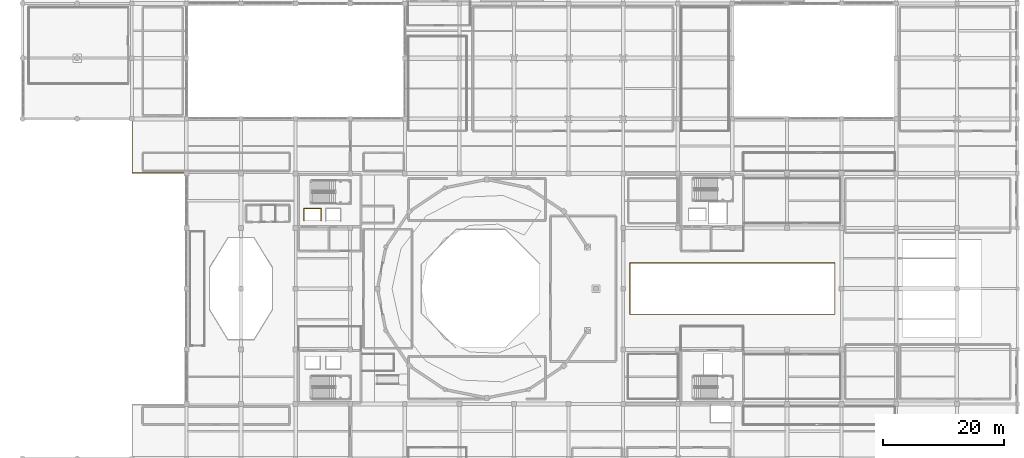
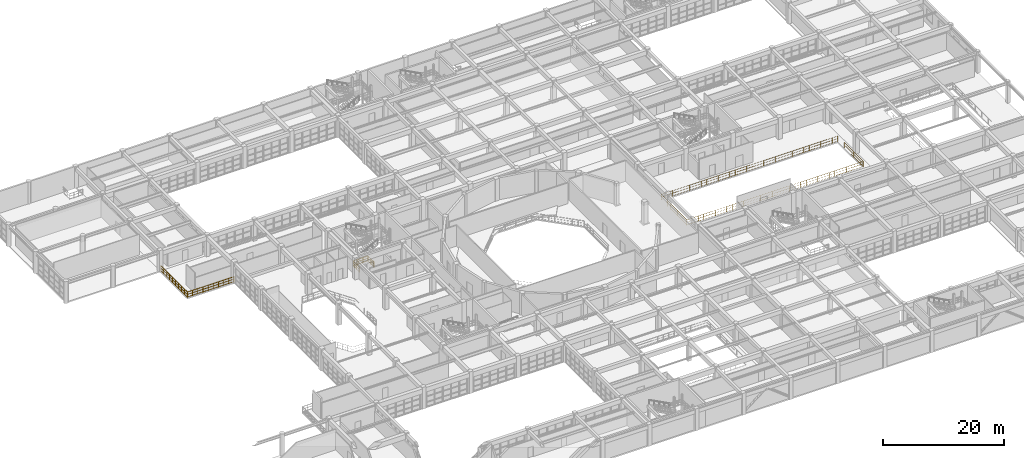
# One storey, part 127 of 133: 3 railings.
"""IFC4 building model written with IfcOpenShell, lengths in metres."""

import ifcopenshell
import ifcopenshell.guid

model = None  # the IFC model being written
_history = None  # IfcOwnerHistory: only IFC2X3 demands one
_inside = {}  # id of a spatial element -> (the spatial element, [elements in it])
_under = {}  # id of a project, library or spatial element -> (it, [spatial elements below it])
_declared = {}  # id of a project -> (the project, [libraries it declares])
_typed = {}  # id of a type object -> (the type object, [elements of that type])
_made_of = {}  # id of a material, layer set ... -> (it, [elements and type objects made of it])


def new_model(schema):
    """Start an empty IFC model of exactly this schema.

    Asked for "IFC4X3", IfcOpenShell would pick the latest addendum, in which some entities
    have other attributes; the version numbers below select the first issue.
    IFC2X3 requires an IfcOwnerHistory on every rooted entity: one is made here for all.
    """
    global model, _history
    if schema == "IFC4X3":
        model = ifcopenshell.file(schema_version=(4, 3, 0, 0))
    else:
        model = ifcopenshell.file(schema=schema)
    _inside.clear()
    _under.clear()
    _declared.clear()
    _typed.clear()
    _made_of.clear()
    _history = None
    if model.schema == "IFC2X3":
        org = make("IfcOrganization", Name="unknown")
        user = make(
            "IfcPersonAndOrganization",
            ThePerson=make("IfcPerson", FamilyName="unknown"),
            TheOrganization=org,
        )
        app = make(
            "IfcApplication",
            ApplicationDeveloper=org,
            Version="unknown",
            ApplicationFullName="unknown",
            ApplicationIdentifier="unknown",
        )
        _history = make(
            "IfcOwnerHistory",
            OwningUser=user,
            OwningApplication=app,
            ChangeAction="ADDED",
            CreationDate=0,
        )
    return model


def make(cls, **values):
    """One entity of the class cls with the attributes given. An attribute that is None is left unset."""
    return model.create_entity(
        cls, **{name: value for name, value in values.items() if value is not None}
    )


def rooted(cls, **values):
    """An entity with a GlobalId (a new one), such as an element, a storey or a relation."""
    return make(cls, GlobalId=ifcopenshell.guid.new(), OwnerHistory=_history, **values)


def si_unit(unit_type, name, prefix=None):
    """IfcSIUnit, for example si_unit("LENGTHUNIT", "METRE", prefix="MILLI")."""
    return make("IfcSIUnit", UnitType=unit_type, Prefix=prefix, Name=name)


def assignment(units):
    """IfcUnitAssignment: the units of a project."""
    return None if units is None else make("IfcUnitAssignment", Units=units)


def point(xyz):
    """IfcCartesianPoint."""
    return None if xyz is None else make("IfcCartesianPoint", Coordinates=xyz)


def direction(xyz):
    """IfcDirection."""
    return None if xyz is None else make("IfcDirection", DirectionRatios=xyz)


def frame(location, z_axis=None, x_axis=None):
    """IfcAxis2Placement3D, a coordinate frame: its origin and axes. An axis left out is left unset."""
    return make(
        "IfcAxis2Placement3D",
        Location=point(location),
        Axis=direction(z_axis),
        RefDirection=direction(x_axis),
    )


def frame_2d(location, x_axis=None):
    """IfcAxis2Placement2D, a coordinate frame in the plane: its origin and x axis."""
    return make(
        "IfcAxis2Placement2D", Location=point(location), RefDirection=direction(x_axis)
    )


def origin():
    """The frame at (0, 0, 0) with its axes left unset."""
    return frame((0.0, 0.0, 0.0))


def origin_2d():
    """The frame at (0, 0) in the plane with its x axis left unset."""
    return frame_2d((0.0, 0.0))


def place(relative_to, where):
    """IfcLocalPlacement: puts the frame where relative to a parent placement (None: the world)."""
    return make(
        "IfcLocalPlacement", PlacementRelTo=relative_to, RelativePlacement=where
    )


def context(
    kind, dimensions, precision=None, world=None, true_north=None, identifier=None
):
    """IfcGeometricRepresentationContext, for example the 3D "Model" context."""
    return make(
        "IfcGeometricRepresentationContext",
        ContextIdentifier=identifier,
        ContextType=kind,
        CoordinateSpaceDimension=dimensions,
        Precision=precision,
        WorldCoordinateSystem=world,
        TrueNorth=true_north,
    )


def subcontext(parent, identifier, kind, view, scale=None):
    """IfcGeometricRepresentationSubContext, for example "Body" below "Model"."""
    return make(
        "IfcGeometricRepresentationSubContext",
        ContextIdentifier=identifier,
        ContextType=kind,
        ParentContext=parent,
        TargetScale=scale,
        TargetView=view,
    )


def project(units=None, contexts=None):
    """IfcProject with its units and contexts."""
    return rooted(
        "IfcProject",
        Name="project",
        RepresentationContexts=contexts,
        UnitsInContext=assignment(units),
    )


def spatial(cls, under=None, at=None, **own):
    """A site, building, storey or space (cls), placed at a placement, below another one or the project."""
    s = rooted(cls, ObjectPlacement=at, **own)
    if under is not None:
        _under.setdefault(under.id(), (under, []))[1].append(s)
    return s


def profile(cls, at=None, kind="AREA", **sizes):
    """A parametric profile (cls). Its sizes go by their IFC names, for example OverallWidth=200.0."""
    return make(cls, ProfileType=kind, Position=at, **sizes)


def circle(**sizes):
    """IfcCircleProfileDef."""
    return profile("IfcCircleProfileDef", **sizes)


def extrude(swept, where, along, depth):
    """IfcExtrudedAreaSolid: the profile swept, set in the frame where, extruded along a direction by depth."""
    return make(
        "IfcExtrudedAreaSolid",
        SweptArea=swept,
        Position=where,
        ExtrudedDirection=direction(along),
        Depth=depth,
    )


def shape(context_of_items, identifier, shape_type, items):
    """IfcShapeRepresentation: the items that make up one representation, for example the "Body"."""
    return make(
        "IfcShapeRepresentation",
        ContextOfItems=context_of_items,
        RepresentationIdentifier=identifier,
        RepresentationType=shape_type,
        Items=items,
    )


def material(Name=None, Category=None):
    """IfcMaterial."""
    return make("IfcMaterial", Name=Name, Category=Category)


def made_of(thing, what):
    """Note that an element or type object is made of a material, layer set ...; save() writes the relation."""
    if what is not None:
        _made_of.setdefault(what.id(), (what, []))[1].append(thing)
    return thing


def type_object(cls, material=None, **own):
    """A type object (cls), such as IfcWallType, which elements share."""
    return made_of(rooted(cls, **own), material)


def element(
    cls,
    number,
    at=None,
    inside=None,
    cuts=None,
    type_object=None,
    material=None,
    context=None,
    identifier="Body",
    shape_type=None,
    held_by="IfcProductDefinitionShape",
    body=None,
    shapes=None,
    **own,
):
    """One element of the class cls, such as IfcWall. Its Tag is "e" and its number.

    at: its placement. inside: the storey or other place that contains it. cuts: it is an
    opening in that element (IfcRelVoidsElement). A single representation is given by context,
    identifier, shape_type and body (its items); several are given by shapes. held_by: the class
    of the entity that holds the representations. save() writes the other relations.
    """
    e = rooted(cls, Tag="e%d" % number, ObjectPlacement=at, **own)
    if body is not None:
        shapes = [shape(context, identifier, shape_type, body)]
    if shapes is not None:
        e.Representation = make(held_by, Representations=shapes)
    if inside is not None:
        _inside.setdefault(inside.id(), (inside, []))[1].append(e)
    if cuts is not None:
        rooted(
            "IfcRelVoidsElement", RelatingBuildingElement=cuts, RelatedOpeningElement=e
        )
    if type_object is not None:
        _typed.setdefault(type_object.id(), (type_object, []))[1].append(e)
    return made_of(e, material)


def aggregate(whole, parts):
    """IfcRelAggregates: a whole, such as a stair, and the parts it consists of."""
    return rooted("IfcRelAggregates", RelatingObject=whole, RelatedObjects=parts)


def save(model, path):
    """Write the relations noted so far, then the file.

    IfcRelAggregates (storeys below a building ...), IfcRelContainedInSpatialStructure (elements
    in a storey), IfcRelDefinesByType, IfcRelAssociatesMaterial and IfcRelDeclares: one each for
    every whole, place, type object, material and project.
    """
    for whole, parts in _under.values():
        aggregate(whole, parts)
    for where, things in _inside.values():
        rooted(
            "IfcRelContainedInSpatialStructure",
            RelatedElements=things,
            RelatingStructure=where,
        )
    for kind, things in _typed.values():
        rooted("IfcRelDefinesByType", RelatedObjects=things, RelatingType=kind)
    for what, things in _made_of.values():
        rooted("IfcRelAssociatesMaterial", RelatedObjects=things, RelatingMaterial=what)
    for by, libraries in _declared.values():
        rooted("IfcRelDeclares", RelatingContext=by, RelatedDefinitions=libraries)
    model.write(path)


model = new_model("IFC4")

# Units and contexts
model_context = context("Model", 3, precision=1e-05, world=origin(), true_north=direction((0.0, 1.0)))
body_context = subcontext(model_context, "Body", "Model", "MODEL_VIEW")
ifc_project = project(units=[si_unit("LENGTHUNIT", "METRE"), si_unit("AREAUNIT", "SQUARE_METRE"), si_unit("VOLUMEUNIT", "CUBIC_METRE"), si_unit("PLANEANGLEUNIT", "RADIAN"), si_unit("MASSUNIT", "GRAM", prefix="KILO")], contexts=[model_context])

# Site, building, storey
site_placement = place(None, origin())
site = spatial("IfcSite", under=ifc_project, at=site_placement, CompositionType="ELEMENT")
building_placement = place(site_placement, origin())
building = spatial("IfcBuilding", under=site, at=building_placement, Name="Miravela Opera House", CompositionType="ELEMENT")
storey_placement = place(building_placement, frame((0.0, 0.0, 5.10009765625)))
storey = spatial("IfcBuildingStorey", under=building, at=storey_placement, Name="L01", CompositionType="ELEMENT", Elevation=5.10009765625)

# Railings
ifc_material_1 = material(Name="Architectural bronze foyer balustrade")
railing_type_1 = type_object("IfcRailingType", Name="ARC-RAIL-ATRIUM-BAL", PredefinedType="BALUSTRADE", material=ifc_material_1)
railing_1_placement = place(storey_placement, frame((18.080078125, 83.919921875, 0.0)))
element("IfcRailing", 1, at=railing_1_placement, inside=storey, type_object=railing_type_1, Name="L01 North Forecourt Gallery Edge Balustrade 0175", PredefinedType="BALUSTRADE", context=body_context, shape_type="SweptSolid", body=[
    extrude(circle(Radius=0.02587890625, at=origin_2d()), frame((0.0, 0.0, 1.11376953125), z_axis=(0.0, -1.0, 0.0), x_axis=(1.0, 0.0, 0.0)), (0.0, 0.0, 1.0), 8.83984375),
    extrude(circle(Radius=0.01611328125, at=origin_2d()), frame((0.0, 0.0, 0.626953125), z_axis=(0.0, -1.0, 0.0), x_axis=(1.0, 0.0, 0.0)), (0.0, 0.0, 1.0), 8.83984375),
    extrude(circle(Radius=0.01611328125, at=origin_2d()), frame((0.0, 0.0, 0.1201171875), z_axis=(0.0, -1.0, 0.0), x_axis=(1.0, 0.0, 0.0)), (0.0, 0.0, 1.0), 8.83984375),
    extrude(circle(Radius=0.02587890625, at=origin_2d()), frame((0.0, -8.83984375, 1.11376953125), z_axis=(1.0, 0.0, 0.0), x_axis=(0.0, 1.0, 0.0)), (0.0, 0.0, 1.0), 8.919921875),
    extrude(circle(Radius=0.01611328125, at=origin_2d()), frame((0.0, -8.83984375, 0.626953125), z_axis=(1.0, 0.0, 0.0), x_axis=(0.0, 1.0, 0.0)), (0.0, 0.0, 1.0), 8.919921875),
    extrude(circle(Radius=0.01611328125, at=origin_2d()), frame((0.0, -8.83984375, 0.1201171875), z_axis=(1.0, 0.0, 0.0), x_axis=(0.0, 1.0, 0.0)), (0.0, 0.0, 1.0), 8.919921875),
    extrude(circle(Radius=0.02099609375, at=origin_2d()), origin(), (0.0, 0.0, 1.0), 1.087890625),
    extrude(circle(Radius=0.02099609375, at=origin_2d()), frame((0.0, -0.982177734375, 0.0)), (0.0, 0.0, 1.0), 1.087890625),
    extrude(circle(Radius=0.02099609375, at=origin_2d()), frame((0.0, -1.96435546875, 0.0)), (0.0, 0.0, 1.0), 1.087890625),
    extrude(circle(Radius=0.02099609375, at=origin_2d()), frame((0.0, -2.946533203125, 0.0)), (0.0, 0.0, 1.0), 1.087890625),
    extrude(circle(Radius=0.02099609375, at=origin_2d()), frame((0.0, -3.9287109375, 0.0)), (0.0, 0.0, 1.0), 1.087890625),
    extrude(circle(Radius=0.02099609375, at=origin_2d()), frame((0.0, -4.9111328125, 0.0)), (0.0, 0.0, 1.0), 1.087890625),
    extrude(circle(Radius=0.02099609375, at=origin_2d()), frame((0.0, -5.893310546875, 0.0)), (0.0, 0.0, 1.0), 1.087890625),
    extrude(circle(Radius=0.02099609375, at=origin_2d()), frame((0.0, -6.87548828125, 0.0)), (0.0, 0.0, 1.0), 1.087890625),
    extrude(circle(Radius=0.02099609375, at=origin_2d()), frame((0.0, -7.857666015625, 0.0)), (0.0, 0.0, 1.0), 1.087890625),
    extrude(circle(Radius=0.02099609375, at=origin_2d()), frame((0.0, -8.83984375, 0.0)), (0.0, 0.0, 1.0), 1.087890625),
    extrude(circle(Radius=0.02099609375, at=origin_2d()), frame((0.9912109375, -8.83984375, 0.0)), (0.0, 0.0, 1.0), 1.087890625),
    extrude(circle(Radius=0.02099609375, at=origin_2d()), frame((1.982177734375, -8.83984375, 0.0)), (0.0, 0.0, 1.0), 1.087890625),
    extrude(circle(Radius=0.02099609375, at=origin_2d()), frame((2.973388671875, -8.83984375, 0.0)), (0.0, 0.0, 1.0), 1.087890625),
    extrude(circle(Radius=0.02099609375, at=origin_2d()), frame((3.96435546875, -8.83984375, 0.0)), (0.0, 0.0, 1.0), 1.087890625),
    extrude(circle(Radius=0.02099609375, at=origin_2d()), frame((4.95556640625, -8.83984375, 0.0)), (0.0, 0.0, 1.0), 1.087890625),
    extrude(circle(Radius=0.02099609375, at=origin_2d()), frame((5.946533203125, -8.83984375, 0.0)), (0.0, 0.0, 1.0), 1.087890625),
    extrude(circle(Radius=0.02099609375, at=origin_2d()), frame((6.937744140625, -8.83984375, 0.0)), (0.0, 0.0, 1.0), 1.087890625),
    extrude(circle(Radius=0.02099609375, at=origin_2d()), frame((7.9287109375, -8.83984375, 0.0)), (0.0, 0.0, 1.0), 1.087890625),
    extrude(circle(Radius=0.02099609375, at=origin_2d()), frame((8.919921875, -8.83984375, 0.0)), (0.0, 0.0, 1.0), 1.087890625),
])
ifc_material_2 = material(Name="Galvanised steel fly-gallery safety guardrail", Category="steel")
railing_type_2 = type_object("IfcRailingType", Name="ARC-RAIL-STAGE-GUARD", PredefinedType="GUARDRAIL", material=ifc_material_2)
railing_2_placement = place(storey_placement, frame((100.122314453125, 51.780517578125, 0.0)))
element("IfcRailing", 2, at=railing_2_placement, inside=storey, type_object=railing_type_2, Name="L01 Void Perimeter Balustrade 0155", PredefinedType="GUARDRAIL", context=body_context, shape_type="SweptSolid", body=[
    extrude(circle(Radius=0.02392578125, at=origin_2d()), frame((0.0, 0.0, 1.1259765625), z_axis=(1.0, 0.0, 0.0), x_axis=(0.0, 1.0, 0.0)), (0.0, 0.0, 1.0), 33.75537109375),
    extrude(circle(Radius=0.01611328125, at=origin_2d()), frame((0.0, 0.0, 0.63232421875), z_axis=(1.0, 0.0, 0.0), x_axis=(0.0, 1.0, 0.0)), (0.0, 0.0, 1.0), 33.75537109375),
    extrude(circle(Radius=0.01611328125, at=origin_2d()), frame((0.0, 0.0, 0.1201171875), z_axis=(1.0, 0.0, 0.0), x_axis=(0.0, 1.0, 0.0)), (0.0, 0.0, 1.0), 33.75537109375),
    extrude(circle(Radius=0.02392578125, at=origin_2d()), frame((33.75537109375, 0.0, 1.1259765625), z_axis=(0.0, 1.0, 0.0), x_axis=(-1.0, 0.0, 0.0)), (0.0, 0.0, 1.0), 8.43896484375),
    extrude(circle(Radius=0.01611328125, at=origin_2d()), frame((33.75537109375, 0.0, 0.63232421875), z_axis=(0.0, 1.0, 0.0), x_axis=(-1.0, 0.0, 0.0)), (0.0, 0.0, 1.0), 8.43896484375),
    extrude(circle(Radius=0.01611328125, at=origin_2d()), frame((33.75537109375, 0.0, 0.1201171875), z_axis=(0.0, 1.0, 0.0), x_axis=(-1.0, 0.0, 0.0)), (0.0, 0.0, 1.0), 8.43896484375),
    extrude(circle(Radius=0.02392578125, at=origin_2d()), frame((33.75537109375, 8.43896484375, 1.1259765625), z_axis=(-1.0, 0.0, 0.0), x_axis=(0.0, -1.0, 0.0)), (0.0, 0.0, 1.0), 33.75537109375),
    extrude(circle(Radius=0.01611328125, at=origin_2d()), frame((33.75537109375, 8.43896484375, 0.63232421875), z_axis=(-1.0, 0.0, 0.0), x_axis=(0.0, -1.0, 0.0)), (0.0, 0.0, 1.0), 33.75537109375),
    extrude(circle(Radius=0.01611328125, at=origin_2d()), frame((33.75537109375, 8.43896484375, 0.1201171875), z_axis=(-1.0, 0.0, 0.0), x_axis=(0.0, -1.0, 0.0)), (0.0, 0.0, 1.0), 33.75537109375),
    extrude(circle(Radius=0.02392578125, at=origin_2d()), frame((0.0, 8.43896484375, 1.1259765625), z_axis=(0.0, -1.0, 0.0), x_axis=(1.0, 0.0, 0.0)), (0.0, 0.0, 1.0), 8.43896484375),
    extrude(circle(Radius=0.01611328125, at=origin_2d()), frame((0.0, 8.43896484375, 0.63232421875), z_axis=(0.0, -1.0, 0.0), x_axis=(1.0, 0.0, 0.0)), (0.0, 0.0, 1.0), 8.43896484375),
    extrude(circle(Radius=0.01611328125, at=origin_2d()), frame((0.0, 8.43896484375, 0.1201171875), z_axis=(0.0, -1.0, 0.0), x_axis=(1.0, 0.0, 0.0)), (0.0, 0.0, 1.0), 8.43896484375),
    extrude(circle(Radius=0.02099609375, at=origin_2d()), origin(), (0.0, 0.0, 1.0), 1.101806640625),
    extrude(circle(Radius=0.02099609375, at=origin_2d()), frame((1.0888671875, 0.0, 0.0)), (0.0, 0.0, 1.0), 1.101806640625),
    extrude(circle(Radius=0.02099609375, at=origin_2d()), frame((2.177734375, 0.0, 0.0)), (0.0, 0.0, 1.0), 1.101806640625),
    extrude(circle(Radius=0.02099609375, at=origin_2d()), frame((3.2666015625, 0.0, 0.0)), (0.0, 0.0, 1.0), 1.101806640625),
    extrude(circle(Radius=0.02099609375, at=origin_2d()), frame((4.35546875, 0.0, 0.0)), (0.0, 0.0, 1.0), 1.101806640625),
    extrude(circle(Radius=0.02099609375, at=origin_2d()), frame((5.4443359375, 0.0, 0.0)), (0.0, 0.0, 1.0), 1.101806640625),
    extrude(circle(Radius=0.02099609375, at=origin_2d()), frame((6.533203125, 0.0, 0.0)), (0.0, 0.0, 1.0), 1.101806640625),
    extrude(circle(Radius=0.02099609375, at=origin_2d()), frame((7.6220703125, 0.0, 0.0)), (0.0, 0.0, 1.0), 1.101806640625),
    extrude(circle(Radius=0.02099609375, at=origin_2d()), frame((8.711181640625, 0.0, 0.0)), (0.0, 0.0, 1.0), 1.101806640625),
    extrude(circle(Radius=0.02099609375, at=origin_2d()), frame((9.800048828125, 0.0, 0.0)), (0.0, 0.0, 1.0), 1.101806640625),
    extrude(circle(Radius=0.02099609375, at=origin_2d()), frame((10.888916015625, 0.0, 0.0)), (0.0, 0.0, 1.0), 1.101806640625),
    extrude(circle(Radius=0.02099609375, at=origin_2d()), frame((11.977783203125, 0.0, 0.0)), (0.0, 0.0, 1.0), 1.101806640625),
    extrude(circle(Radius=0.02099609375, at=origin_2d()), frame((13.066650390625, 0.0, 0.0)), (0.0, 0.0, 1.0), 1.101806640625),
    extrude(circle(Radius=0.02099609375, at=origin_2d()), frame((14.155517578125, 0.0, 0.0)), (0.0, 0.0, 1.0), 1.101806640625),
    extrude(circle(Radius=0.02099609375, at=origin_2d()), frame((15.244384765625, 0.0, 0.0)), (0.0, 0.0, 1.0), 1.101806640625),
    extrude(circle(Radius=0.02099609375, at=origin_2d()), frame((16.333251953125, 0.0, 0.0)), (0.0, 0.0, 1.0), 1.101806640625),
    extrude(circle(Radius=0.02099609375, at=origin_2d()), frame((17.422119140625, 0.0, 0.0)), (0.0, 0.0, 1.0), 1.101806640625),
    extrude(circle(Radius=0.02099609375, at=origin_2d()), frame((18.510986328125, 0.0, 0.0)), (0.0, 0.0, 1.0), 1.101806640625),
    extrude(circle(Radius=0.02099609375, at=origin_2d()), frame((19.599853515625, 0.0, 0.0)), (0.0, 0.0, 1.0), 1.101806640625),
    extrude(circle(Radius=0.02099609375, at=origin_2d()), frame((20.688720703125, 0.0, 0.0)), (0.0, 0.0, 1.0), 1.101806640625),
    extrude(circle(Radius=0.02099609375, at=origin_2d()), frame((21.777587890625, 0.0, 0.0)), (0.0, 0.0, 1.0), 1.101806640625),
    extrude(circle(Radius=0.02099609375, at=origin_2d()), frame((22.866455078125, 0.0, 0.0)), (0.0, 0.0, 1.0), 1.101806640625),
    extrude(circle(Radius=0.02099609375, at=origin_2d()), frame((23.955322265625, 0.0, 0.0)), (0.0, 0.0, 1.0), 1.101806640625),
    extrude(circle(Radius=0.02099609375, at=origin_2d()), frame((25.044189453125, 0.0, 0.0)), (0.0, 0.0, 1.0), 1.101806640625),
    extrude(circle(Radius=0.02099609375, at=origin_2d()), frame((26.13330078125, 0.0, 0.0)), (0.0, 0.0, 1.0), 1.101806640625),
    extrude(circle(Radius=0.02099609375, at=origin_2d()), frame((27.22216796875, 0.0, 0.0)), (0.0, 0.0, 1.0), 1.101806640625),
    extrude(circle(Radius=0.02099609375, at=origin_2d()), frame((28.31103515625, 0.0, 0.0)), (0.0, 0.0, 1.0), 1.101806640625),
    extrude(circle(Radius=0.02099609375, at=origin_2d()), frame((29.39990234375, 0.0, 0.0)), (0.0, 0.0, 1.0), 1.101806640625),
    extrude(circle(Radius=0.02099609375, at=origin_2d()), frame((30.48876953125, 0.0, 0.0)), (0.0, 0.0, 1.0), 1.101806640625),
    extrude(circle(Radius=0.02099609375, at=origin_2d()), frame((31.57763671875, 0.0, 0.0)), (0.0, 0.0, 1.0), 1.101806640625),
    extrude(circle(Radius=0.02099609375, at=origin_2d()), frame((32.66650390625, 0.0, 0.0)), (0.0, 0.0, 1.0), 1.101806640625),
    extrude(circle(Radius=0.02099609375, at=origin_2d()), frame((33.75537109375, 0.0, 0.0)), (0.0, 0.0, 1.0), 1.101806640625),
    extrude(circle(Radius=0.02099609375, at=origin_2d()), frame((33.75537109375, 1.054931640625, 0.0)), (0.0, 0.0, 1.0), 1.101806640625),
    extrude(circle(Radius=0.02099609375, at=origin_2d()), frame((33.75537109375, 2.10986328125, 0.0)), (0.0, 0.0, 1.0), 1.101806640625),
    extrude(circle(Radius=0.02099609375, at=origin_2d()), frame((33.75537109375, 3.16455078125, 0.0)), (0.0, 0.0, 1.0), 1.101806640625),
    extrude(circle(Radius=0.02099609375, at=origin_2d()), frame((33.75537109375, 4.219482421875, 0.0)), (0.0, 0.0, 1.0), 1.101806640625),
    extrude(circle(Radius=0.02099609375, at=origin_2d()), frame((33.75537109375, 5.2744140625, 0.0)), (0.0, 0.0, 1.0), 1.101806640625),
    extrude(circle(Radius=0.02099609375, at=origin_2d()), frame((33.75537109375, 6.3291015625, 0.0)), (0.0, 0.0, 1.0), 1.101806640625),
    extrude(circle(Radius=0.02099609375, at=origin_2d()), frame((33.75537109375, 7.384033203125, 0.0)), (0.0, 0.0, 1.0), 1.101806640625),
    extrude(circle(Radius=0.02099609375, at=origin_2d()), frame((33.75537109375, 8.43896484375, 0.0)), (0.0, 0.0, 1.0), 1.101806640625),
    extrude(circle(Radius=0.02099609375, at=origin_2d()), frame((32.66650390625, 8.43896484375, 0.0)), (0.0, 0.0, 1.0), 1.101806640625),
    extrude(circle(Radius=0.02099609375, at=origin_2d()), frame((31.57763671875, 8.43896484375, 0.0)), (0.0, 0.0, 1.0), 1.101806640625),
    extrude(circle(Radius=0.02099609375, at=origin_2d()), frame((30.48876953125, 8.43896484375, 0.0)), (0.0, 0.0, 1.0), 1.101806640625),
    extrude(circle(Radius=0.02099609375, at=origin_2d()), frame((29.39990234375, 8.43896484375, 0.0)), (0.0, 0.0, 1.0), 1.101806640625),
    extrude(circle(Radius=0.02099609375, at=origin_2d()), frame((28.31103515625, 8.43896484375, 0.0)), (0.0, 0.0, 1.0), 1.101806640625),
    extrude(circle(Radius=0.02099609375, at=origin_2d()), frame((27.22216796875, 8.43896484375, 0.0)), (0.0, 0.0, 1.0), 1.101806640625),
    extrude(circle(Radius=0.02099609375, at=origin_2d()), frame((26.13330078125, 8.43896484375, 0.0)), (0.0, 0.0, 1.0), 1.101806640625),
    extrude(circle(Radius=0.02099609375, at=origin_2d()), frame((25.044189453125, 8.43896484375, 0.0)), (0.0, 0.0, 1.0), 1.101806640625),
    extrude(circle(Radius=0.02099609375, at=origin_2d()), frame((23.955322265625, 8.43896484375, 0.0)), (0.0, 0.0, 1.0), 1.101806640625),
    extrude(circle(Radius=0.02099609375, at=origin_2d()), frame((22.866455078125, 8.43896484375, 0.0)), (0.0, 0.0, 1.0), 1.101806640625),
    extrude(circle(Radius=0.02099609375, at=origin_2d()), frame((21.777587890625, 8.43896484375, 0.0)), (0.0, 0.0, 1.0), 1.101806640625),
    extrude(circle(Radius=0.02099609375, at=origin_2d()), frame((20.688720703125, 8.43896484375, 0.0)), (0.0, 0.0, 1.0), 1.101806640625),
    extrude(circle(Radius=0.02099609375, at=origin_2d()), frame((19.599853515625, 8.43896484375, 0.0)), (0.0, 0.0, 1.0), 1.101806640625),
    extrude(circle(Radius=0.02099609375, at=origin_2d()), frame((18.510986328125, 8.43896484375, 0.0)), (0.0, 0.0, 1.0), 1.101806640625),
    extrude(circle(Radius=0.02099609375, at=origin_2d()), frame((17.422119140625, 8.43896484375, 0.0)), (0.0, 0.0, 1.0), 1.101806640625),
    extrude(circle(Radius=0.02099609375, at=origin_2d()), frame((16.333251953125, 8.43896484375, 0.0)), (0.0, 0.0, 1.0), 1.101806640625),
    extrude(circle(Radius=0.02099609375, at=origin_2d()), frame((15.244384765625, 8.43896484375, 0.0)), (0.0, 0.0, 1.0), 1.101806640625),
    extrude(circle(Radius=0.02099609375, at=origin_2d()), frame((14.155517578125, 8.43896484375, 0.0)), (0.0, 0.0, 1.0), 1.101806640625),
    extrude(circle(Radius=0.02099609375, at=origin_2d()), frame((13.066650390625, 8.43896484375, 0.0)), (0.0, 0.0, 1.0), 1.101806640625),
    extrude(circle(Radius=0.02099609375, at=origin_2d()), frame((11.977783203125, 8.43896484375, 0.0)), (0.0, 0.0, 1.0), 1.101806640625),
    extrude(circle(Radius=0.02099609375, at=origin_2d()), frame((10.888916015625, 8.43896484375, 0.0)), (0.0, 0.0, 1.0), 1.101806640625),
    extrude(circle(Radius=0.02099609375, at=origin_2d()), frame((9.800048828125, 8.43896484375, 0.0)), (0.0, 0.0, 1.0), 1.101806640625),
    extrude(circle(Radius=0.02099609375, at=origin_2d()), frame((8.711181640625, 8.43896484375, 0.0)), (0.0, 0.0, 1.0), 1.101806640625),
    extrude(circle(Radius=0.02099609375, at=origin_2d()), frame((7.6220703125, 8.43896484375, 0.0)), (0.0, 0.0, 1.0), 1.101806640625),
    extrude(circle(Radius=0.02099609375, at=origin_2d()), frame((6.533203125, 8.43896484375, 0.0)), (0.0, 0.0, 1.0), 1.101806640625),
    extrude(circle(Radius=0.02099609375, at=origin_2d()), frame((5.4443359375, 8.43896484375, 0.0)), (0.0, 0.0, 1.0), 1.101806640625),
    extrude(circle(Radius=0.02099609375, at=origin_2d()), frame((4.35546875, 8.43896484375, 0.0)), (0.0, 0.0, 1.0), 1.101806640625),
    extrude(circle(Radius=0.02099609375, at=origin_2d()), frame((3.2666015625, 8.43896484375, 0.0)), (0.0, 0.0, 1.0), 1.101806640625),
    extrude(circle(Radius=0.02099609375, at=origin_2d()), frame((2.177734375, 8.43896484375, 0.0)), (0.0, 0.0, 1.0), 1.101806640625),
    extrude(circle(Radius=0.02099609375, at=origin_2d()), frame((1.0888671875, 8.43896484375, 0.0)), (0.0, 0.0, 1.0), 1.101806640625),
    extrude(circle(Radius=0.02099609375, at=origin_2d()), frame((0.0, 8.43896484375, 0.0)), (0.0, 0.0, 1.0), 1.101806640625),
    extrude(circle(Radius=0.02099609375, at=origin_2d()), frame((0.0, 7.384033203125, 0.0)), (0.0, 0.0, 1.0), 1.101806640625),
    extrude(circle(Radius=0.02099609375, at=origin_2d()), frame((0.0, 6.3291015625, 0.0)), (0.0, 0.0, 1.0), 1.101806640625),
    extrude(circle(Radius=0.02099609375, at=origin_2d()), frame((0.0, 5.2744140625, 0.0)), (0.0, 0.0, 1.0), 1.101806640625),
    extrude(circle(Radius=0.02099609375, at=origin_2d()), frame((0.0, 4.219482421875, 0.0)), (0.0, 0.0, 1.0), 1.101806640625),
    extrude(circle(Radius=0.02099609375, at=origin_2d()), frame((0.0, 3.16455078125, 0.0)), (0.0, 0.0, 1.0), 1.101806640625),
    extrude(circle(Radius=0.02099609375, at=origin_2d()), frame((0.0, 2.10986328125, 0.0)), (0.0, 0.0, 1.0), 1.101806640625),
    extrude(circle(Radius=0.02099609375, at=origin_2d()), frame((0.0, 1.054931640625, 0.0)), (0.0, 0.0, 1.0), 1.101806640625),
])
ifc_material_3 = material(Name="Painted wrought-iron stair guardrail")
railing_type_3 = type_object("IfcRailingType", Name="ARC-RAIL-STAIR-GUARD", PredefinedType="GUARDRAIL", material=ifc_material_3)
railing_3_placement = place(storey_placement, frame((46.389892578125, 67.18505859375, 0.0)))
element("IfcRailing", 3, at=railing_3_placement, inside=storey, type_object=railing_type_3, Name="Lift FFL-01 Hoistway Slab Opening Guard (L01) 0094", PredefinedType="GUARDRAIL", context=body_context, shape_type="SweptSolid", body=[
    extrude(circle(Radius=0.02392578125, at=origin_2d()), frame((0.0, 0.0, 1.076171875), z_axis=(0.0, 1.0, 0.0), x_axis=(-1.0, 0.0, 0.0)), (0.0, 0.0, 1.0), 2.030029296875),
    extrude(circle(Radius=0.01611328125, at=origin_2d()), frame((0.0, 0.0, 0.60498046875), z_axis=(0.0, 1.0, 0.0), x_axis=(-1.0, 0.0, 0.0)), (0.0, 0.0, 1.0), 2.030029296875),
    extrude(circle(Radius=0.01611328125, at=origin_2d()), frame((0.0, 0.0, 0.1201171875), z_axis=(0.0, 1.0, 0.0), x_axis=(-1.0, 0.0, 0.0)), (0.0, 0.0, 1.0), 2.030029296875),
    extrude(circle(Radius=0.02392578125, at=origin_2d()), frame((0.0, 2.030029296875, 1.076171875), z_axis=(1.0, 0.0, 0.0), x_axis=(0.0, 1.0, 0.0)), (0.0, 0.0, 1.0), 2.820068359375),
    extrude(circle(Radius=0.01611328125, at=origin_2d()), frame((0.0, 2.030029296875, 0.60498046875), z_axis=(1.0, 0.0, 0.0), x_axis=(0.0, 1.0, 0.0)), (0.0, 0.0, 1.0), 2.820068359375),
    extrude(circle(Radius=0.01611328125, at=origin_2d()), frame((0.0, 2.030029296875, 0.1201171875), z_axis=(1.0, 0.0, 0.0), x_axis=(0.0, 1.0, 0.0)), (0.0, 0.0, 1.0), 2.820068359375),
    extrude(circle(Radius=0.02392578125, at=origin_2d()), frame((2.820068359375, 2.030029296875, 1.076171875), z_axis=(0.0, -1.0, 0.0), x_axis=(1.0, 0.0, 0.0)), (0.0, 0.0, 1.0), 2.030029296875),
    extrude(circle(Radius=0.01611328125, at=origin_2d()), frame((2.820068359375, 2.030029296875, 0.60498046875), z_axis=(0.0, -1.0, 0.0), x_axis=(1.0, 0.0, 0.0)), (0.0, 0.0, 1.0), 2.030029296875),
    extrude(circle(Radius=0.01611328125, at=origin_2d()), frame((2.820068359375, 2.030029296875, 0.1201171875), z_axis=(0.0, -1.0, 0.0), x_axis=(1.0, 0.0, 0.0)), (0.0, 0.0, 1.0), 2.030029296875),
    extrude(circle(Radius=0.02099609375, at=origin_2d()), origin(), (0.0, 0.0, 1.0), 1.052001953125),
    extrude(circle(Radius=0.02099609375, at=origin_2d()), frame((0.0, 1.01513671875, 0.0)), (0.0, 0.0, 1.0), 1.052001953125),
    extrude(circle(Radius=0.02099609375, at=origin_2d()), frame((0.0, 2.030029296875, 0.0)), (0.0, 0.0, 1.0), 1.052001953125),
    extrude(circle(Radius=0.02099609375, at=origin_2d()), frame((0.93994140625, 2.030029296875, 0.0)), (0.0, 0.0, 1.0), 1.052001953125),
    extrude(circle(Radius=0.02099609375, at=origin_2d()), frame((1.880126953125, 2.030029296875, 0.0)), (0.0, 0.0, 1.0), 1.052001953125),
    extrude(circle(Radius=0.02099609375, at=origin_2d()), frame((2.820068359375, 2.030029296875, 0.0)), (0.0, 0.0, 1.0), 1.052001953125),
    extrude(circle(Radius=0.02099609375, at=origin_2d()), frame((2.820068359375, 1.01513671875, 0.0)), (0.0, 0.0, 1.0), 1.052001953125),
    extrude(circle(Radius=0.02099609375, at=origin_2d()), frame((2.820068359375, 0.0, 0.0)), (0.0, 0.0, 1.0), 1.052001953125),
])

save(model, "model.ifc")
